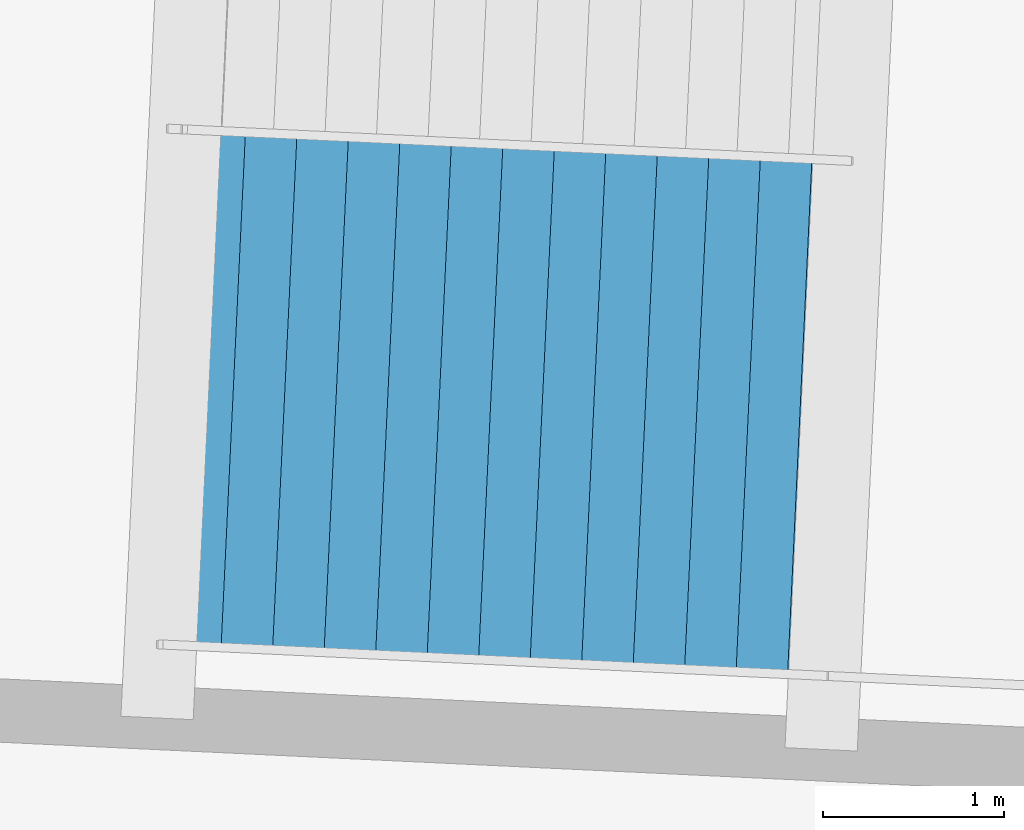
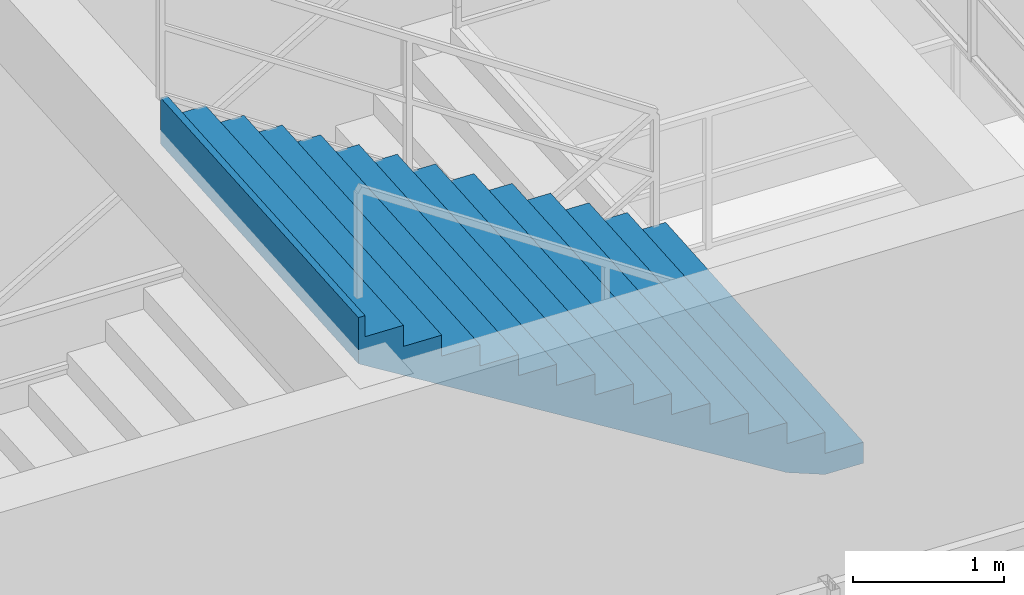
# One storey, part 120 of 156: 1 stair flight, 1 element without a shape of its own.
"""IFC4 building model written with IfcOpenShell, lengths in metres."""

from ifc_helpers import new_model, si_unit, direction, frame, origin, place, context, subcontext, project, spatial, polygons, material, type_object, element, aggregate, save


model = new_model("IFC4")

# Units and contexts
model_context = context("Model", 3, precision=1e-05, world=origin(), true_north=direction((0.0, 1.0)))
body_context = subcontext(model_context, "Body", "Model", "MODEL_VIEW")
ifc_project = project(units=[si_unit("LENGTHUNIT", "METRE"), si_unit("AREAUNIT", "SQUARE_METRE"), si_unit("VOLUMEUNIT", "CUBIC_METRE"), si_unit("PLANEANGLEUNIT", "RADIAN"), si_unit("MASSUNIT", "GRAM", prefix="KILO")], contexts=[model_context])

# Site, building, storey
site_placement = place(None, origin())
site = spatial("IfcSite", under=ifc_project, at=site_placement, CompositionType="ELEMENT")
building_placement = place(site_placement, origin())
building = spatial("IfcBuilding", under=site, at=building_placement, Name="Kazemori Nagisa Stadium", CompositionType="ELEMENT")
storey_placement = place(building_placement, frame((0.0, 0.0, 5.780029296875)))
storey = spatial("IfcBuildingStorey", under=building, at=storey_placement, Name="L01", CompositionType="ELEMENT", Elevation=5.780029296875)

# Stair, stair flight
ifc_material = material(Name="Concrete C36/45 (Fc36)", Category="concrete")
stair_type = type_object("IfcStairType", Name="Stair_CORE_28", PredefinedType="TWO_STRAIGHT_RUN_STAIR", material=ifc_material)
stair_placement = place(storey_placement, origin())
stair = element("IfcStair", 1, at=stair_placement, inside=storey, type_object=stair_type, Name="Exit stair ST12 L01", PredefinedType="TWO_STRAIGHT_RUN_STAIR")
stair_flight_type = type_object("IfcStairFlightType", Name="Flight_CORE_14", PredefinedType="STRAIGHT", material=ifc_material)
stair_flight_placement = place(storey_placement, frame((110.873779296875, 20.9873046875, 2.3798828125), z_axis=(0.0, 0.0, 1.0), x_axis=(-0.998883292929, 0.047245815755, 0.0)))
stair_flight = element("IfcStairFlight", 2, at=stair_flight_placement, type_object=stair_flight_type, Name="Exit stair ST12 L01 flight 2", NumberOfRisers=14, NumberOfTreads=13, PredefinedType="STRAIGHT", RiserHeight=0.17, TreadLength=0.285, context=body_context, shape_type="Tessellation", body=[
    polygons([(0.0, -1.425048828125, 0.0), (0.0, -1.425048828125, 0.169921875), (0.284912109375, -1.425048828125, 0.169921875), (0.284912109375, -1.425048828125, 0.340087890625), (0.570068359375, -1.425048828125, 0.340087890625), (0.570068359375, -1.425048828125, 0.510009765625), (0.85498046875, -1.425048828125, 0.510009765625), (0.85498046875, -1.425048828125, 0.679931640625), (1.139892578125, -1.425048828125, 0.679931640625), (1.139892578125, -1.425048828125, 0.85009765625), (1.425048828125, -1.425048828125, 0.85009765625), (1.425048828125, -1.425048828125, 1.02001953125), (1.7099609375, -1.425048828125, 1.02001953125), (1.7099609375, -1.425048828125, 1.18994140625), (1.9951171875, -1.425048828125, 1.18994140625), (1.9951171875, -1.425048828125, 1.360107421875), (2.280029296875, -1.425048828125, 1.360107421875), (2.280029296875, -1.425048828125, 1.530029296875), (2.56494140625, -1.425048828125, 1.530029296875), (2.56494140625, -1.425048828125, 1.699951171875), (2.85009765625, -1.425048828125, 1.699951171875), (2.85009765625, -1.425048828125, 1.8701171875), (3.135009765625, -1.425048828125, 1.8701171875), (3.135009765625, -1.425048828125, 2.0400390625), (3.419921875, -1.425048828125, 2.0400390625), (3.419921875, -1.425048828125, 2.2099609375), (3.705078125, -1.425048828125, 2.2099609375), (3.705078125, -1.425048828125, 2.3798828125), (3.7548828125, -1.425048828125, 2.3798828125), (3.7548828125, -1.425048828125, 2.007080078125), (3.705078125, -1.425048828125, 1.977294921875), (3.419921875, -1.425048828125, 1.80712890625), (3.135009765625, -1.425048828125, 1.63720703125), (2.85009765625, -1.425048828125, 1.46728515625), (2.56494140625, -1.425048828125, 1.297119140625), (2.280029296875, -1.425048828125, 1.127197265625), (1.9951171875, -1.425048828125, 0.957275390625), (1.7099609375, -1.425048828125, 0.787109375), (1.425048828125, -1.425048828125, 0.6171875), (1.139892578125, -1.425048828125, 0.447265625), (0.85498046875, -1.425048828125, 0.277099609375), (0.570068359375, -1.425048828125, 0.107177734375), (0.284912109375, -1.425048828125, 0.0), (0.0, -0.08544921875, 0.0), (0.0, -0.08544921875, 0.169921875), (0.284912109375, -0.08544921875, 0.169921875), (0.284912109375, -0.08544921875, 0.340087890625), (0.570068359375, -0.08544921875, 0.340087890625), (0.570068359375, -0.08544921875, 0.510009765625), (0.85498046875, -0.08544921875, 0.510009765625), (0.85498046875, -0.08544921875, 0.679931640625), (1.139892578125, -0.08544921875, 0.679931640625), (1.139892578125, -0.08544921875, 0.85009765625), (1.425048828125, -0.08544921875, 0.85009765625), (1.425048828125, -0.08544921875, 1.02001953125), (1.7099609375, -0.08544921875, 1.02001953125), (1.7099609375, -0.08544921875, 1.18994140625), (1.9951171875, -0.08544921875, 1.18994140625), (1.9951171875, -0.08544921875, 1.360107421875), (2.280029296875, -0.08544921875, 1.360107421875), (2.280029296875, -0.08544921875, 1.530029296875), (2.56494140625, -0.08544921875, 1.530029296875), (2.56494140625, -0.08544921875, 1.699951171875), (2.85009765625, -0.08544921875, 1.699951171875), (2.85009765625, -0.08544921875, 1.8701171875), (3.135009765625, -0.08544921875, 1.8701171875), (3.135009765625, -0.08544921875, 2.0400390625), (3.419921875, -0.08544921875, 2.0400390625), (3.419921875, -0.08544921875, 2.2099609375), (3.705078125, -0.08544921875, 2.2099609375), (3.705078125, -0.08544921875, 2.3798828125), (3.7548828125, -0.08544921875, 2.3798828125), (3.7548828125, -0.08544921875, 2.007080078125), (3.705078125, -0.08544921875, 1.977294921875), (3.419921875, -0.08544921875, 1.80712890625), (3.135009765625, -0.08544921875, 1.63720703125), (2.85009765625, -0.08544921875, 1.46728515625), (2.56494140625, -0.08544921875, 1.297119140625), (2.280029296875, -0.08544921875, 1.127197265625), (1.9951171875, -0.08544921875, 0.957275390625), (1.7099609375, -0.08544921875, 0.787109375), (1.425048828125, -0.08544921875, 0.6171875), (1.139892578125, -0.08544921875, 0.447265625), (0.85498046875, -0.08544921875, 0.277099609375), (0.570068359375, -0.08544921875, 0.107177734375), (0.284912109375, -0.08544921875, 0.0), (0.0, 0.0, 0.0), (0.0, 0.0, 0.169921875), (0.284912109375, 0.0, 0.169921875), (0.284912109375, 0.0, 0.340087890625), (0.570068359375, 0.0, 0.340087890625), (0.570068359375, 0.0, 0.510009765625), (0.85498046875, 0.0, 0.510009765625), (0.85498046875, 0.0, 0.679931640625), (1.139892578125, 0.0, 0.679931640625), (1.139892578125, 0.0, 0.85009765625), (1.425048828125, 0.0, 0.85009765625), (1.425048828125, 0.0, 1.02001953125), (1.7099609375, 0.0, 1.02001953125), (1.7099609375, 0.0, 1.18994140625), (1.9951171875, 0.0, 1.18994140625), (1.9951171875, 0.0, 1.360107421875), (2.280029296875, 0.0, 1.360107421875), (2.280029296875, 0.0, 1.530029296875), (2.56494140625, 0.0, 1.530029296875), (2.56494140625, 0.0, 1.699951171875), (2.85009765625, 0.0, 1.699951171875), (2.85009765625, 0.0, 1.8701171875), (3.135009765625, 0.0, 1.8701171875), (3.135009765625, 0.0, 2.0400390625), (3.419921875, 0.0, 2.0400390625), (3.419921875, 0.0, 2.2099609375), (3.705078125, 0.0, 2.2099609375), (3.705078125, 0.0, 2.3798828125), (3.7548828125, 0.0, 2.3798828125), (3.7548828125, 0.0, 2.007080078125), (3.705078125, 0.0, 1.977294921875), (3.419921875, 0.0, 1.80712890625), (3.135009765625, 0.0, 1.63720703125), (2.85009765625, 0.0, 1.46728515625), (2.56494140625, 0.0, 1.297119140625), (2.280029296875, 0.0, 1.127197265625), (1.9951171875, 0.0, 0.957275390625), (1.7099609375, 0.0, 0.787109375), (1.425048828125, 0.0, 0.6171875), (1.139892578125, 0.0, 0.447265625), (0.85498046875, 0.0, 0.277099609375), (0.570068359375, 0.0, 0.107177734375), (0.284912109375, 0.0, 0.0), (0.0, 0.08544921875, 0.0), (0.0, 0.08544921875, 0.169921875), (0.284912109375, 0.08544921875, 0.169921875), (0.284912109375, 0.08544921875, 0.340087890625), (0.570068359375, 0.08544921875, 0.340087890625), (0.570068359375, 0.08544921875, 0.510009765625), (0.85498046875, 0.08544921875, 0.510009765625), (0.85498046875, 0.08544921875, 0.679931640625), (1.139892578125, 0.08544921875, 0.679931640625), (1.139892578125, 0.08544921875, 0.85009765625), (1.425048828125, 0.08544921875, 0.85009765625), (1.425048828125, 0.08544921875, 1.02001953125), (1.7099609375, 0.08544921875, 1.02001953125), (1.7099609375, 0.08544921875, 1.18994140625), (1.9951171875, 0.08544921875, 1.18994140625), (1.9951171875, 0.08544921875, 1.360107421875), (2.280029296875, 0.08544921875, 1.360107421875), (2.280029296875, 0.08544921875, 1.530029296875), (2.56494140625, 0.08544921875, 1.530029296875), (2.56494140625, 0.08544921875, 1.699951171875), (2.85009765625, 0.08544921875, 1.699951171875), (2.85009765625, 0.08544921875, 1.8701171875), (3.135009765625, 0.08544921875, 1.8701171875), (3.135009765625, 0.08544921875, 2.0400390625), (3.419921875, 0.08544921875, 2.0400390625), (3.419921875, 0.08544921875, 2.2099609375), (3.705078125, 0.08544921875, 2.2099609375), (3.705078125, 0.08544921875, 2.3798828125), (3.7548828125, 0.08544921875, 2.3798828125), (3.7548828125, 0.08544921875, 2.007080078125), (3.705078125, 0.08544921875, 1.977294921875), (3.419921875, 0.08544921875, 1.80712890625), (3.135009765625, 0.08544921875, 1.63720703125), (2.85009765625, 0.08544921875, 1.46728515625), (2.56494140625, 0.08544921875, 1.297119140625), (2.280029296875, 0.08544921875, 1.127197265625), (1.9951171875, 0.08544921875, 0.957275390625), (1.7099609375, 0.08544921875, 0.787109375), (1.425048828125, 0.08544921875, 0.6171875), (1.139892578125, 0.08544921875, 0.447265625), (0.85498046875, 0.08544921875, 0.277099609375), (0.570068359375, 0.08544921875, 0.107177734375), (0.284912109375, 0.08544921875, 0.0), (0.0, 1.425048828125, 0.0), (0.0, 1.425048828125, 0.169921875), (0.284912109375, 1.425048828125, 0.169921875), (0.284912109375, 1.425048828125, 0.340087890625), (0.570068359375, 1.425048828125, 0.340087890625), (0.570068359375, 1.425048828125, 0.510009765625), (0.85498046875, 1.425048828125, 0.510009765625), (0.85498046875, 1.425048828125, 0.679931640625), (1.139892578125, 1.425048828125, 0.679931640625), (1.139892578125, 1.425048828125, 0.85009765625), (1.425048828125, 1.425048828125, 0.85009765625), (1.425048828125, 1.425048828125, 1.02001953125), (1.7099609375, 1.425048828125, 1.02001953125), (1.7099609375, 1.425048828125, 1.18994140625), (1.9951171875, 1.425048828125, 1.18994140625), (1.9951171875, 1.425048828125, 1.360107421875), (2.280029296875, 1.425048828125, 1.360107421875), (2.280029296875, 1.425048828125, 1.530029296875), (2.56494140625, 1.425048828125, 1.530029296875), (2.56494140625, 1.425048828125, 1.699951171875), (2.85009765625, 1.425048828125, 1.699951171875), (2.85009765625, 1.425048828125, 1.8701171875), (3.135009765625, 1.425048828125, 1.8701171875), (3.135009765625, 1.425048828125, 2.0400390625), (3.419921875, 1.425048828125, 2.0400390625), (3.419921875, 1.425048828125, 2.2099609375), (3.705078125, 1.425048828125, 2.2099609375), (3.705078125, 1.425048828125, 2.3798828125), (3.7548828125, 1.425048828125, 2.3798828125), (3.7548828125, 1.425048828125, 2.007080078125), (3.705078125, 1.425048828125, 1.977294921875), (3.419921875, 1.425048828125, 1.80712890625), (3.135009765625, 1.425048828125, 1.63720703125), (2.85009765625, 1.425048828125, 1.46728515625), (2.56494140625, 1.425048828125, 1.297119140625), (2.280029296875, 1.425048828125, 1.127197265625), (1.9951171875, 1.425048828125, 0.957275390625), (1.7099609375, 1.425048828125, 0.787109375), (1.425048828125, 1.425048828125, 0.6171875), (1.139892578125, 1.425048828125, 0.447265625), (0.85498046875, 1.425048828125, 0.277099609375), (0.570068359375, 1.425048828125, 0.107177734375), (0.284912109375, 1.425048828125, 0.0)], [[[1, 2, 45]], [[1, 45, 44]], [[2, 3, 46]], [[2, 46, 45]], [[3, 4, 47]], [[3, 47, 46]], [[4, 5, 48]], [[4, 48, 47]], [[5, 6, 49]], [[5, 49, 48]], [[6, 7, 50]], [[6, 50, 49]], [[7, 8, 51]], [[7, 51, 50]], [[8, 9, 52]], [[8, 52, 51]], [[9, 10, 53]], [[9, 53, 52]], [[10, 11, 54]], [[10, 54, 53]], [[11, 12, 55]], [[11, 55, 54]], [[12, 13, 56]], [[12, 56, 55]], [[13, 14, 57]], [[13, 57, 56]], [[14, 15, 58]], [[14, 58, 57]], [[15, 16, 59]], [[15, 59, 58]], [[16, 17, 60]], [[16, 60, 59]], [[17, 18, 61]], [[17, 61, 60]], [[18, 19, 62]], [[18, 62, 61]], [[19, 20, 63]], [[19, 63, 62]], [[20, 21, 64]], [[20, 64, 63]], [[21, 22, 65]], [[21, 65, 64]], [[22, 23, 66]], [[22, 66, 65]], [[23, 24, 67]], [[23, 67, 66]], [[24, 25, 68]], [[24, 68, 67]], [[25, 26, 69]], [[25, 69, 68]], [[26, 27, 70]], [[26, 70, 69]], [[27, 28, 71]], [[27, 71, 70]], [[28, 29, 72]], [[28, 72, 71]], [[29, 30, 73]], [[29, 73, 72]], [[30, 31, 74]], [[30, 74, 73]], [[31, 32, 75]], [[31, 75, 74]], [[32, 33, 76]], [[32, 76, 75]], [[33, 34, 77]], [[33, 77, 76]], [[34, 35, 78]], [[34, 78, 77]], [[35, 36, 79]], [[35, 79, 78]], [[36, 37, 80]], [[36, 80, 79]], [[37, 38, 81]], [[37, 81, 80]], [[38, 39, 82]], [[38, 82, 81]], [[39, 40, 83]], [[39, 83, 82]], [[40, 41, 84]], [[40, 84, 83]], [[41, 42, 85]], [[41, 85, 84]], [[42, 43, 86]], [[42, 86, 85]], [[43, 1, 44]], [[43, 44, 86]], [[44, 45, 88]], [[44, 88, 87]], [[45, 46, 89]], [[45, 89, 88]], [[46, 47, 90]], [[46, 90, 89]], [[47, 48, 91]], [[47, 91, 90]], [[48, 49, 92]], [[48, 92, 91]], [[49, 50, 93]], [[49, 93, 92]], [[50, 51, 94]], [[50, 94, 93]], [[51, 52, 95]], [[51, 95, 94]], [[52, 53, 96]], [[52, 96, 95]], [[53, 54, 97]], [[53, 97, 96]], [[54, 55, 98]], [[54, 98, 97]], [[55, 56, 99]], [[55, 99, 98]], [[56, 57, 100]], [[56, 100, 99]], [[57, 58, 101]], [[57, 101, 100]], [[58, 59, 102]], [[58, 102, 101]], [[59, 60, 103]], [[59, 103, 102]], [[60, 61, 104]], [[60, 104, 103]], [[61, 62, 105]], [[61, 105, 104]], [[62, 63, 106]], [[62, 106, 105]], [[63, 64, 107]], [[63, 107, 106]], [[64, 65, 108]], [[64, 108, 107]], [[65, 66, 109]], [[65, 109, 108]], [[66, 67, 110]], [[66, 110, 109]], [[67, 68, 111]], [[67, 111, 110]], [[68, 69, 112]], [[68, 112, 111]], [[69, 70, 113]], [[69, 113, 112]], [[70, 71, 114]], [[70, 114, 113]], [[71, 72, 115]], [[71, 115, 114]], [[72, 73, 116]], [[72, 116, 115]], [[73, 74, 117]], [[73, 117, 116]], [[74, 75, 118]], [[74, 118, 117]], [[75, 76, 119]], [[75, 119, 118]], [[76, 77, 120]], [[76, 120, 119]], [[77, 78, 121]], [[77, 121, 120]], [[78, 79, 122]], [[78, 122, 121]], [[79, 80, 123]], [[79, 123, 122]], [[80, 81, 124]], [[80, 124, 123]], [[81, 82, 125]], [[81, 125, 124]], [[82, 83, 126]], [[82, 126, 125]], [[83, 84, 127]], [[83, 127, 126]], [[84, 85, 128]], [[84, 128, 127]], [[85, 86, 129]], [[85, 129, 128]], [[86, 44, 87]], [[86, 87, 129]], [[87, 88, 131]], [[87, 131, 130]], [[88, 89, 132]], [[88, 132, 131]], [[89, 90, 133]], [[89, 133, 132]], [[90, 91, 134]], [[90, 134, 133]], [[91, 92, 135]], [[91, 135, 134]], [[92, 93, 136]], [[92, 136, 135]], [[93, 94, 137]], [[93, 137, 136]], [[94, 95, 138]], [[94, 138, 137]], [[95, 96, 139]], [[95, 139, 138]], [[96, 97, 140]], [[96, 140, 139]], [[97, 98, 141]], [[97, 141, 140]], [[98, 99, 142]], [[98, 142, 141]], [[99, 100, 143]], [[99, 143, 142]], [[100, 101, 144]], [[100, 144, 143]], [[101, 102, 145]], [[101, 145, 144]], [[102, 103, 146]], [[102, 146, 145]], [[103, 104, 147]], [[103, 147, 146]], [[104, 105, 148]], [[104, 148, 147]], [[105, 106, 149]], [[105, 149, 148]], [[106, 107, 150]], [[106, 150, 149]], [[107, 108, 151]], [[107, 151, 150]], [[108, 109, 152]], [[108, 152, 151]], [[109, 110, 153]], [[109, 153, 152]], [[110, 111, 154]], [[110, 154, 153]], [[111, 112, 155]], [[111, 155, 154]], [[112, 113, 156]], [[112, 156, 155]], [[113, 114, 157]], [[113, 157, 156]], [[114, 115, 158]], [[114, 158, 157]], [[115, 116, 159]], [[115, 159, 158]], [[116, 117, 160]], [[116, 160, 159]], [[117, 118, 161]], [[117, 161, 160]], [[118, 119, 162]], [[118, 162, 161]], [[119, 120, 163]], [[119, 163, 162]], [[120, 121, 164]], [[120, 164, 163]], [[121, 122, 165]], [[121, 165, 164]], [[122, 123, 166]], [[122, 166, 165]], [[123, 124, 167]], [[123, 167, 166]], [[124, 125, 168]], [[124, 168, 167]], [[125, 126, 169]], [[125, 169, 168]], [[126, 127, 170]], [[126, 170, 169]], [[127, 128, 171]], [[127, 171, 170]], [[128, 129, 172]], [[128, 172, 171]], [[129, 87, 130]], [[129, 130, 172]], [[130, 131, 174]], [[130, 174, 173]], [[131, 132, 175]], [[131, 175, 174]], [[132, 133, 176]], [[132, 176, 175]], [[133, 134, 177]], [[133, 177, 176]], [[134, 135, 178]], [[134, 178, 177]], [[135, 136, 179]], [[135, 179, 178]], [[136, 137, 180]], [[136, 180, 179]], [[137, 138, 181]], [[137, 181, 180]], [[138, 139, 182]], [[138, 182, 181]], [[139, 140, 183]], [[139, 183, 182]], [[140, 141, 184]], [[140, 184, 183]], [[141, 142, 185]], [[141, 185, 184]], [[142, 143, 186]], [[142, 186, 185]], [[143, 144, 187]], [[143, 187, 186]], [[144, 145, 188]], [[144, 188, 187]], [[145, 146, 189]], [[145, 189, 188]], [[146, 147, 190]], [[146, 190, 189]], [[147, 148, 191]], [[147, 191, 190]], [[148, 149, 192]], [[148, 192, 191]], [[149, 150, 193]], [[149, 193, 192]], [[150, 151, 194]], [[150, 194, 193]], [[151, 152, 195]], [[151, 195, 194]], [[152, 153, 196]], [[152, 196, 195]], [[153, 154, 197]], [[153, 197, 196]], [[154, 155, 198]], [[154, 198, 197]], [[155, 156, 199]], [[155, 199, 198]], [[156, 157, 200]], [[156, 200, 199]], [[157, 158, 201]], [[157, 201, 200]], [[158, 159, 202]], [[158, 202, 201]], [[159, 160, 203]], [[159, 203, 202]], [[160, 161, 204]], [[160, 204, 203]], [[161, 162, 205]], [[161, 205, 204]], [[162, 163, 206]], [[162, 206, 205]], [[163, 164, 207]], [[163, 207, 206]], [[164, 165, 208]], [[164, 208, 207]], [[165, 166, 209]], [[165, 209, 208]], [[166, 167, 210]], [[166, 210, 209]], [[167, 168, 211]], [[167, 211, 210]], [[168, 169, 212]], [[168, 212, 211]], [[169, 170, 213]], [[169, 213, 212]], [[170, 171, 214]], [[170, 214, 213]], [[171, 172, 215]], [[171, 215, 214]], [[172, 130, 173]], [[172, 173, 215]], [[3, 2, 1]], [[173, 174, 175]], [[43, 3, 1]], [[173, 175, 215]], [[42, 3, 43]], [[215, 175, 214]], [[5, 3, 42]], [[214, 175, 177]], [[5, 4, 3]], [[175, 176, 177]], [[41, 5, 42]], [[214, 177, 213]], [[7, 5, 41]], [[213, 177, 179]], [[7, 6, 5]], [[177, 178, 179]], [[40, 7, 41]], [[213, 179, 212]], [[9, 7, 40]], [[212, 179, 181]], [[9, 8, 7]], [[179, 180, 181]], [[39, 9, 40]], [[212, 181, 211]], [[11, 9, 39]], [[211, 181, 183]], [[11, 10, 9]], [[181, 182, 183]], [[38, 11, 39]], [[211, 183, 210]], [[13, 11, 38]], [[210, 183, 185]], [[13, 12, 11]], [[183, 184, 185]], [[37, 13, 38]], [[210, 185, 209]], [[15, 13, 37]], [[209, 185, 187]], [[15, 14, 13]], [[185, 186, 187]], [[36, 15, 37]], [[209, 187, 208]], [[17, 15, 36]], [[208, 187, 189]], [[17, 16, 15]], [[187, 188, 189]], [[35, 17, 36]], [[208, 189, 207]], [[19, 17, 35]], [[207, 189, 191]], [[19, 18, 17]], [[189, 190, 191]], [[34, 19, 35]], [[207, 191, 206]], [[21, 19, 34]], [[206, 191, 193]], [[21, 20, 19]], [[191, 192, 193]], [[33, 21, 34]], [[206, 193, 205]], [[23, 21, 33]], [[205, 193, 195]], [[23, 22, 21]], [[193, 194, 195]], [[32, 23, 33]], [[205, 195, 204]], [[25, 23, 32]], [[204, 195, 197]], [[25, 24, 23]], [[195, 196, 197]], [[31, 25, 32]], [[204, 197, 203]], [[27, 25, 31]], [[203, 197, 199]], [[27, 26, 25]], [[197, 198, 199]], [[30, 27, 31]], [[203, 199, 202]], [[29, 27, 30]], [[202, 199, 201]], [[29, 28, 27]], [[199, 200, 201]]], closed=True),
])
aggregate(stair, [stair_flight])

save(model, "model.ifc")
